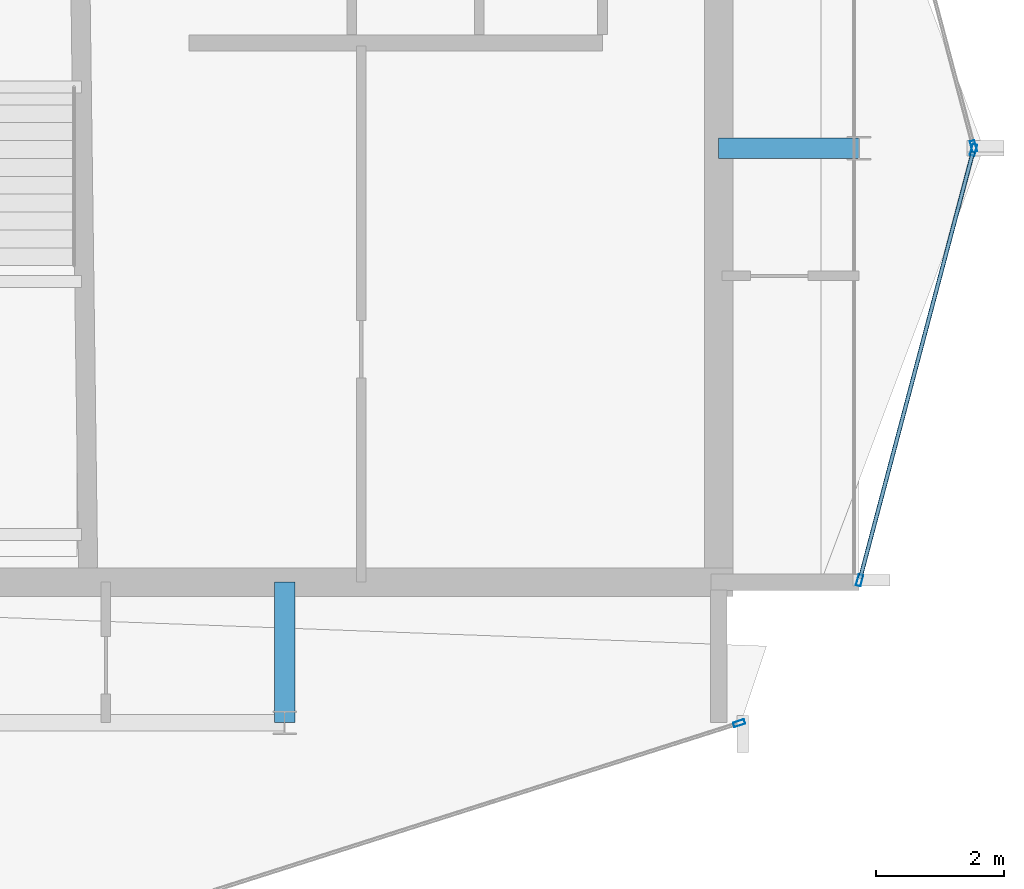
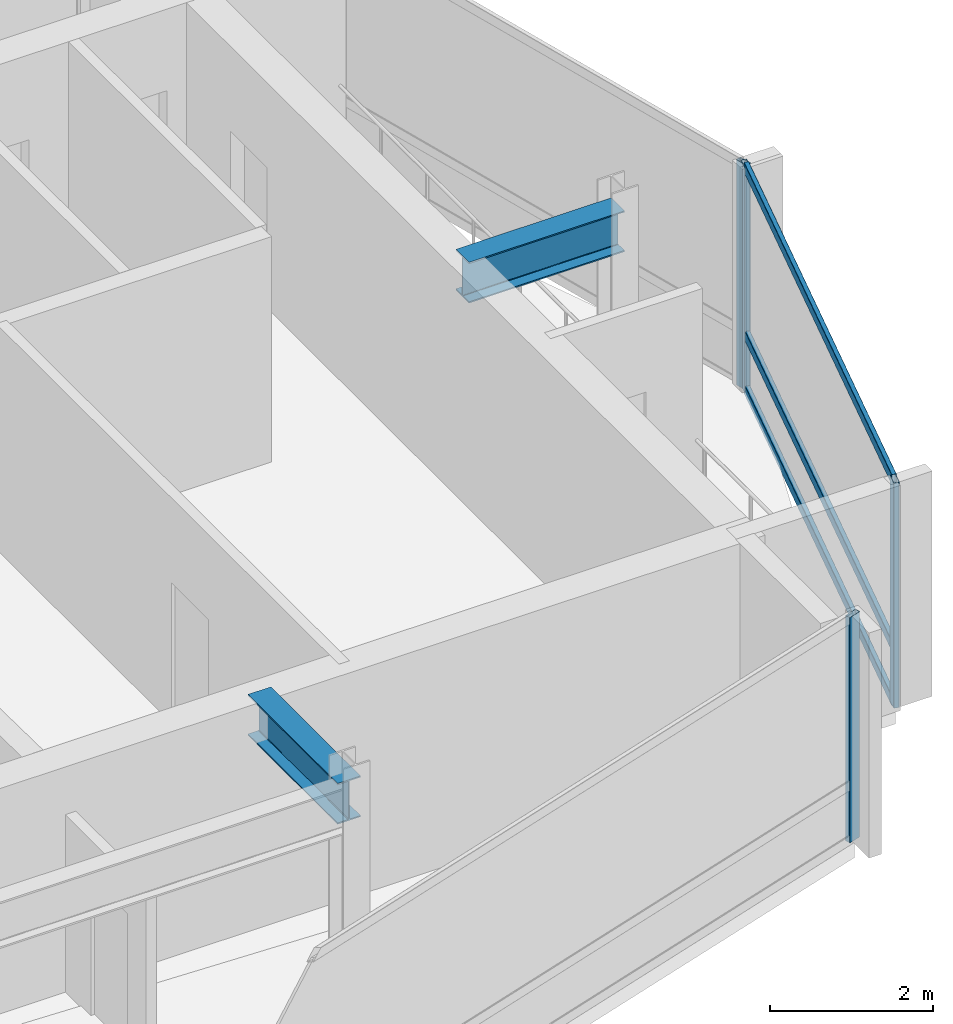
# One storey, part 9 of 19: 7 members, 2 beams, 3 elements without a shape of their own.
"""IFC4 building model written with IfcOpenShell, lengths in metres."""

from ifc_helpers import new_model, si_unit, direction, frame, origin, origin_2d, place, context, subcontext, project, spatial, hollow_rectangle, i_section, extrude, material, layer, layer_set, material_profile, profile_set, type_object, element, aggregate, save


model = new_model("IFC4")

# Units and contexts
model_context = context("Model", 3, precision=1e-05, world=origin(), true_north=direction((0.0, 1.0)))
body_context = subcontext(model_context, "Body", "Model", "MODEL_VIEW")
ifc_project = project(units=[si_unit("LENGTHUNIT", "METRE"), si_unit("AREAUNIT", "SQUARE_METRE"), si_unit("VOLUMEUNIT", "CUBIC_METRE"), si_unit("PLANEANGLEUNIT", "RADIAN"), si_unit("MASSUNIT", "GRAM", prefix="KILO")], contexts=[model_context])

# Site, building, storey
site_placement = place(None, origin())
site = spatial("IfcSite", under=ifc_project, at=site_placement, CompositionType="ELEMENT")
building_placement = place(site_placement, origin())
building = spatial("IfcBuilding", under=site, at=building_placement, Name="Solvaryn Broadcast Tower", CompositionType="ELEMENT")
storey_placement = place(building_placement, frame((0.0, 0.0, 293.699951171875)))
storey = spatial("IfcBuildingStorey", under=building, at=storey_placement, Name="L74", CompositionType="ELEMENT", Elevation=293.699951171875)

# Beams
ifc_material_1 = material(Name="Steel ASTM A992 Grade 50", Category="steel")
ifc_material_profile_1 = material_profile(ifc_material_1, i_section(OverallWidth=0.323974609375, OverallDepth=0.611083984375, WebThickness=0.0126953125, FlangeThickness=0.01904296875, FilletRadius=0.014892578125, at=origin_2d()))
ifc_profile_set_1 = profile_set([ifc_material_profile_1], Name="Steel ASTM A992 Grade 50")
beam_type = type_object("IfcBeamType", Name="BM-B1-W24X104", PredefinedType="BEAM", material=ifc_profile_set_1)
for number, where, z_axis, x_axis, name in (
    (1, (36.0, 9.0, 3.064453125), (0.0, 1.0, 0.0), (-1.0, 0.0, 0.0), "L74 Core Tie Beam CTE1"),
    (2, (42.800048828125, 18.0, 3.064453125), (1.0, 0.0, 0.0), (0.0, 1.0, 0.0), "L74 Core Tie Beam CTE3"),
):
    element("IfcBeam", number, at=place(storey_placement, frame(where, z_axis=z_axis, x_axis=x_axis)), inside=storey, type_object=beam_type, Name=name, PredefinedType="BEAM", context=body_context, shape_type="SweptSolid", body=[
        extrude(i_section(OverallWidth=0.323974609375, OverallDepth=0.611083984375, WebThickness=0.0126953125, FlangeThickness=0.01904296875, FilletRadius=0.014892578125, at=origin_2d()), origin(), (0.0, 0.0, 1.0), 2.199951171875),
    ])

# Curtain wall, member
ifc_material_2 = material(Name="Aluminium and Terracotta Unitised Curtain Wall", Category="masonry")
ifc_layer = layer(ifc_material_2, 0.199951171875)
ifc_layer_set = layer_set([ifc_layer], Name="CW-SYS2-LOWMID")
curtain_wall_type = type_object("IfcCurtainWallType", Name="CW-SYS2-LOWMID", PredefinedType="NOTDEFINED", material=ifc_layer_set)
curtain_wall_1_placement = place(storey_placement, origin())
curtain_wall_1 = element("IfcCurtainWall", 3, at=curtain_wall_1_placement, inside=storey, type_object=curtain_wall_type, Name="L74 Curtain Wall DR4", PredefinedType="NOTDEFINED")
ifc_material_3 = material(Name="Anodised Aluminium 6063-T6", Category="aluminium")
ifc_material_profile_2 = material_profile(ifc_material_3, hollow_rectangle(XDim=0.074951171875, YDim=0.179931640625, WallThickness=0.00390625, InnerFilletRadius=0.00390625, OuterFilletRadius=0.008056640625, at=origin_2d()))
ifc_profile_set_2 = profile_set([ifc_material_profile_2], Name="Anodised Aluminium 6063-T6")
member_type_1 = type_object("IfcMemberType", Name="CW-MUL-180", PredefinedType="MULLION", material=ifc_profile_set_2)
member_1_placement = place(storey_placement, frame((43.120361328125, 8.990966796875, 0.0), z_axis=(0.0, 0.0, 1.0), x_axis=(-0.30361564569, 0.952794594701, 0.0)))
member_1 = element("IfcMember", 4, at=member_1_placement, type_object=member_type_1, Name="CWS2 mullion 2", PredefinedType="MULLION", context=body_context, shape_type="SweptSolid", body=[
    extrude(hollow_rectangle(XDim=0.074951171875, YDim=0.179931640625, WallThickness=0.00390625, InnerFilletRadius=0.00390625, OuterFilletRadius=0.008056640625, at=origin_2d()), origin(), (0.0, 0.0, 1.0), 3.3701171875),
])
aggregate(curtain_wall_1, [member_1])

curtain_wall_2_placement = place(storey_placement, origin())
curtain_wall_2 = element("IfcCurtainWall", 5, at=curtain_wall_2_placement, inside=storey, type_object=curtain_wall_type, Name="L74 Curtain Wall ET1", PredefinedType="NOTDEFINED")
member_2_placement = place(storey_placement, frame((46.792236328125, 18.029052734375, 0.0), z_axis=(0.0, 0.0, 1.0), x_axis=(0.966705227863, 0.25589256031, 0.0)))
member_2 = element("IfcMember", 6, at=member_2_placement, type_object=member_type_1, Name="CWS2 mullion 2", PredefinedType="MULLION", context=body_context, shape_type="SweptSolid", body=[
    extrude(hollow_rectangle(XDim=0.074951171875, YDim=0.179931640625, WallThickness=0.00390625, InnerFilletRadius=0.00390625, OuterFilletRadius=0.008056640625, at=origin_2d()), origin(), (0.0, 0.0, 1.0), 3.3701171875),
])
aggregate(curtain_wall_2, [member_2])

# Curtain wall, members
curtain_wall_3_placement = place(storey_placement, origin())
curtain_wall_3 = element("IfcCurtainWall", 7, at=curtain_wall_3_placement, inside=storey, type_object=curtain_wall_type, Name="L74 Curtain Wall ET2", PredefinedType="NOTDEFINED")
member_3_placement = place(storey_placement, frame((46.792236328125, 17.970947265625, 0.0), z_axis=(0.0, 0.0, 1.0), x_axis=(0.966705227863, -0.25589256031, 0.0)))
member_3 = element("IfcMember", 8, at=member_3_placement, type_object=member_type_1, Name="CWS2 mullion 1", PredefinedType="MULLION", context=body_context, shape_type="SweptSolid", body=[
    extrude(hollow_rectangle(XDim=0.074951171875, YDim=0.179931640625, WallThickness=0.00390625, InnerFilletRadius=0.00390625, OuterFilletRadius=0.008056640625, at=origin_2d()), origin(), (0.0, 0.0, 1.0), 3.3701171875),
])
member_4_placement = place(storey_placement, frame((45.007568359375, 11.22900390625, 0.0), z_axis=(0.0, 0.0, 1.0), x_axis=(0.966705227863, -0.25589256031, 0.0)))
member_4 = element("IfcMember", 9, at=member_4_placement, type_object=member_type_1, Name="CWS2 mullion 2", PredefinedType="MULLION", context=body_context, shape_type="SweptSolid", body=[
    extrude(hollow_rectangle(XDim=0.074951171875, YDim=0.179931640625, WallThickness=0.00390625, InnerFilletRadius=0.00390625, OuterFilletRadius=0.008056640625, at=origin_2d()), origin(), (0.0, 0.0, 1.0), 3.3701171875),
])
ifc_material_4 = material(Name="Anodised Aluminium 6063-T6", Category="aluminium")
ifc_material_profile_3 = material_profile(ifc_material_4, hollow_rectangle(XDim=0.06494140625, YDim=0.14990234375, WallThickness=0.00390625, InnerFilletRadius=0.00390625, OuterFilletRadius=0.008056640625, at=origin_2d()))
ifc_profile_set_3 = profile_set([ifc_material_profile_3], Name="Anodised Aluminium 6063-T6")
member_type_2 = type_object("IfcMemberType", Name="CW-TRN-150", PredefinedType="USERDEFINED", material=ifc_profile_set_3)
member_5_placement = place(storey_placement, frame((46.78466796875, 17.94189453125, 0.030029296875), z_axis=(-0.255897413051, -0.966703943301, 0.0), x_axis=(0.966703943301, -0.255897413051, 0.0)))
member_5 = element("IfcMember", 10, at=member_5_placement, type_object=member_type_2, Name="CWS2 transom 1.1", ObjectType="TRANSOM", PredefinedType="USERDEFINED", context=body_context, shape_type="SweptSolid", body=[
    extrude(hollow_rectangle(XDim=0.06494140625, YDim=0.14990234375, WallThickness=0.00390625, InnerFilletRadius=0.00390625, OuterFilletRadius=0.008056640625, at=origin_2d()), origin(), (0.0, 0.0, 1.0), 6.9140625),
])
member_6_placement = place(storey_placement, frame((46.78466796875, 17.94189453125, 0.85009765625), z_axis=(-0.255897413051, -0.966703943301, 0.0), x_axis=(0.966703943301, -0.255897413051, 0.0)))
member_6 = element("IfcMember", 11, at=member_6_placement, type_object=member_type_2, Name="CWS2 transom 1.2", ObjectType="TRANSOM", PredefinedType="USERDEFINED", context=body_context, shape_type="SweptSolid", body=[
    extrude(hollow_rectangle(XDim=0.06494140625, YDim=0.14990234375, WallThickness=0.00390625, InnerFilletRadius=0.00390625, OuterFilletRadius=0.008056640625, at=origin_2d()), origin(), (0.0, 0.0, 1.0), 6.9140625),
])
member_7_placement = place(storey_placement, frame((46.78466796875, 17.94189453125, 3.340087890625), z_axis=(-0.255897413051, -0.966703943301, 0.0), x_axis=(0.966703943301, -0.255897413051, 0.0)))
member_7 = element("IfcMember", 12, at=member_7_placement, type_object=member_type_2, Name="CWS2 transom 1.3", ObjectType="TRANSOM", PredefinedType="USERDEFINED", context=body_context, shape_type="SweptSolid", body=[
    extrude(hollow_rectangle(XDim=0.06494140625, YDim=0.14990234375, WallThickness=0.00390625, InnerFilletRadius=0.00390625, OuterFilletRadius=0.008056640625, at=origin_2d()), origin(), (0.0, 0.0, 1.0), 6.9140625),
])
aggregate(curtain_wall_3, [member_3, member_4, member_5, member_6, member_7])

save(model, "model.ifc")
